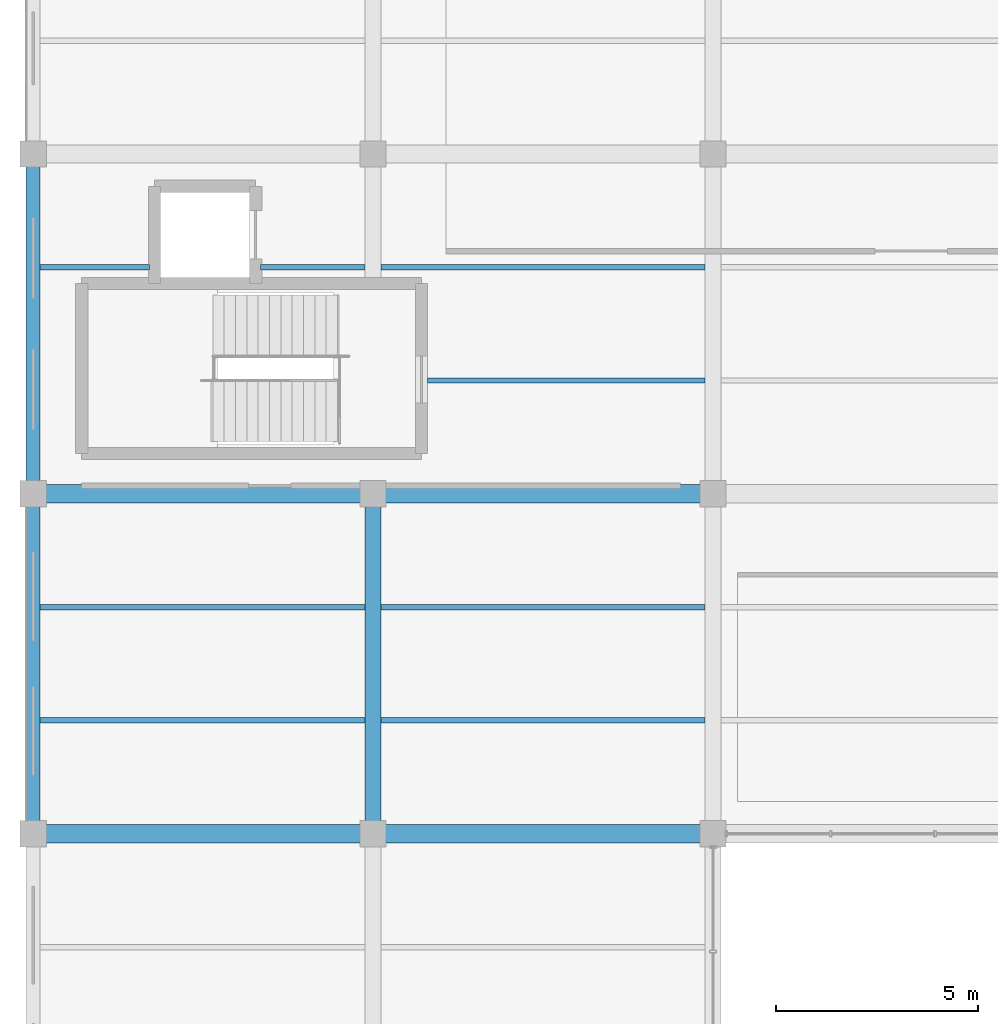
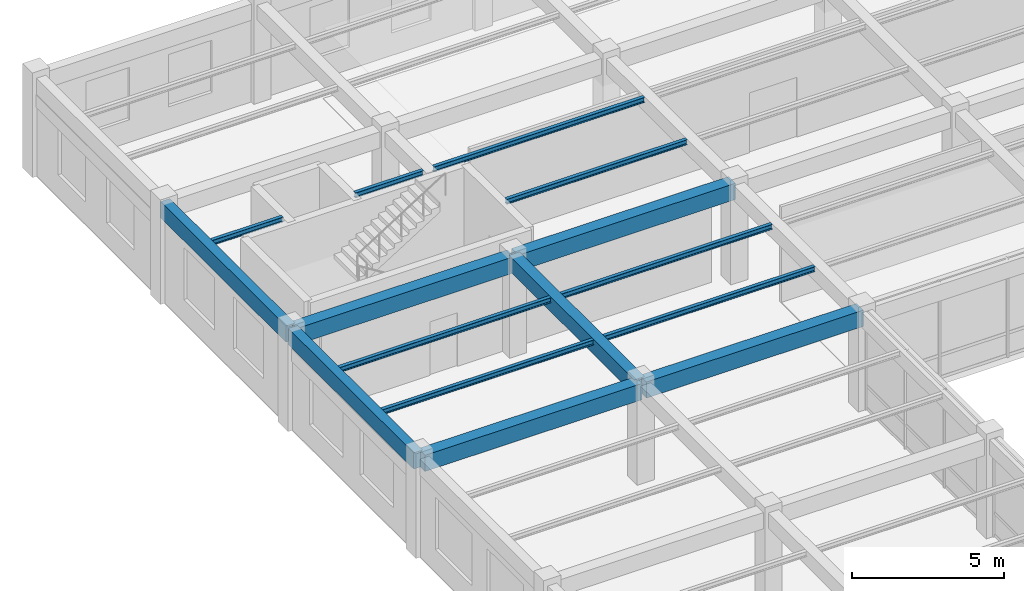
# One storey, part 12 of 138: 15 beams.
"""IFC4 building model written with IfcOpenShell, lengths in metres."""

from ifc_helpers import new_model, si_unit, direction, frame, origin, origin_2d, place, context, subcontext, project, spatial, rectangle, i_section, extrude, material, material_profile, profile_set, type_object, element, save


model = new_model("IFC4")

# Units and contexts
model_context = context("Model", 3, precision=1e-05, world=origin(), true_north=direction((0.0, 1.0)))
body_context = subcontext(model_context, "Body", "Model", "MODEL_VIEW")
ifc_project = project(units=[si_unit("LENGTHUNIT", "METRE"), si_unit("AREAUNIT", "SQUARE_METRE"), si_unit("VOLUMEUNIT", "CUBIC_METRE"), si_unit("PLANEANGLEUNIT", "RADIAN"), si_unit("MASSUNIT", "GRAM", prefix="KILO"), si_unit("THERMODYNAMICTEMPERATUREUNIT", "KELVIN"), si_unit("POWERUNIT", "WATT")], contexts=[model_context])

# Site, building, storey
site_placement = place(None, origin())
site = spatial("IfcSite", under=ifc_project, at=site_placement, CompositionType="ELEMENT")
building_placement = place(site_placement, origin())
building = spatial("IfcBuilding", under=site, at=building_placement, Name="Darbajah Civic Hall", CompositionType="ELEMENT")
storey_placement = place(building_placement, frame((0.0, 0.0, 9.60009765625)))
storey = spatial("IfcBuildingStorey", under=building, at=storey_placement, Name="L02", CompositionType="ELEMENT", Elevation=9.60009765625)

# Beams
ifc_material_1 = material(Name="Concrete C45/55", Category="concrete")
ifc_material_profile_1 = material_profile(ifc_material_1, rectangle(XDim=0.39990234375, YDim=0.60009765625, at=origin_2d()), Name="RC BEAM 400x600")
ifc_profile_set_1 = profile_set([ifc_material_profile_1], Name="Concrete C45/55")
beam_type_1 = type_object("IfcBeamType", Name="RC BEAM 400x600", PredefinedType="BEAM", material=ifc_profile_set_1)
beam_1_placement = place(storey_placement, frame((8.39990234375, 16.8798828125, 3.639892578125), z_axis=(0.0, 1.0, 0.0), x_axis=(-1.0, 0.0, 0.0)))
element("IfcBeam", 1, at=beam_1_placement, inside=storey, type_object=beam_type_1, Name="L02 beam BM-4060", PredefinedType="BEAM", context=body_context, shape_type="SweptSolid", body=[
    extrude(rectangle(XDim=0.39990234375, YDim=0.60009765625, at=origin_2d()), origin(), (0.0, 0.0, 1.0), 8.240234375),
])
ifc_material_profile_2 = material_profile(ifc_material_1, rectangle(XDim=0.449951171875, YDim=0.64990234375, at=origin_2d()), Name="RC BEAM 450x650")
ifc_profile_set_2 = profile_set([ifc_material_profile_2], Name="Concrete C45/55")
beam_type_2 = type_object("IfcBeamType", Name="RC BEAM 450x650", PredefinedType="BEAM", material=ifc_profile_set_2)
for number, where, z_axis, x_axis, name in (
    (2, (0.080078125, 16.800048828125, 3.614990234375), (1.0, 0.0, 0.0), (0.0, 1.0, 0.0), "L02 beam BM-4565"),
    (3, (8.47998046875, 16.800048828125, 3.614990234375), (1.0, 0.0, 0.0), (0.0, 1.0, 0.0), "L02 beam BM-4565"),
    (4, (0.080078125, 25.199951171875, 3.614990234375), (1.0, 0.0, 0.0), (0.0, 1.0, 0.0), "L02 beam BM-4565"),
    (5, (8.47998046875, 25.199951171875, 3.614990234375), (1.0, 0.0, 0.0), (0.0, 1.0, 0.0), "L02 beam BM-4565"),
):
    element("IfcBeam", number, at=place(storey_placement, frame(where, z_axis=z_axis, x_axis=x_axis)), inside=storey, type_object=beam_type_2, Name=name, PredefinedType="BEAM", context=body_context, shape_type="SweptSolid", body=[
        extrude(rectangle(XDim=0.449951171875, YDim=0.64990234375, at=origin_2d()), origin(), (0.0, 0.0, 1.0), 8.239990234375),
    ])
ifc_material_profile_3 = material_profile(ifc_material_1, rectangle(XDim=0.35009765625, YDim=0.64990234375, at=origin_2d()), Name="RC SPANDREL 350x650")
ifc_profile_set_3 = profile_set([ifc_material_profile_3], Name="Concrete C45/55")
beam_type_3 = type_object("IfcBeamType", Name="RC SPANDREL 350x650", PredefinedType="SPANDREL", material=ifc_profile_set_3)
beam_2_placement = place(storey_placement, frame((0.0, 16.8798828125, 3.614990234375), z_axis=(0.0, 1.0, 0.0), x_axis=(-1.0, 0.0, 0.0)))
element("IfcBeam", 6, at=beam_2_placement, inside=storey, type_object=beam_type_3, Name="L02 beam SP-3565", PredefinedType="SPANDREL", context=body_context, shape_type="SweptSolid", body=[
    extrude(rectangle(XDim=0.35009765625, YDim=0.64990234375, at=origin_2d()), origin(), (0.0, 0.0, 1.0), 8.240234375),
])
beam_3_placement = place(storey_placement, frame((0.0, 25.280029296875, 3.614990234375), z_axis=(0.0, 1.0, 0.0), x_axis=(-1.0, 0.0, 0.0)))
element("IfcBeam", 7, at=beam_3_placement, inside=storey, type_object=beam_type_3, Name="L02 beam SP-3565", PredefinedType="SPANDREL", context=body_context, shape_type="SweptSolid", body=[
    extrude(rectangle(XDim=0.35009765625, YDim=0.64990234375, at=origin_2d()), origin(), (0.0, 0.0, 1.0), 8.239990234375),
])
ifc_material_2 = material(Name="Steel S355JR", Category="steel")
ifc_material_profile_4 = material_profile(ifc_material_2, i_section(OverallWidth=0.1337890625, OverallDepth=0.206787109375, WebThickness=0.00634765625, FlangeThickness=0.009521484375, FilletRadius=0.007568359375, at=origin_2d()), Name="UB 203x133x30")
ifc_profile_set_4 = profile_set([ifc_material_profile_4], Name="Steel S355JR")
beam_type_4 = type_object("IfcBeamType", Name="UB 203x133x30", PredefinedType="JOIST", material=ifc_profile_set_4)
for number, where, z_axis, x_axis, name in (
    (8, (0.175048828125, 19.60009765625, 3.83642578125), (1.0, 0.0, 0.0), (0.0, 1.0, 0.0), "L02 beam SJ-203"),
    (9, (0.175048828125, 22.39990234375, 3.83642578125), (1.0, 0.0, 0.0), (0.0, 1.0, 0.0), "L02 beam SJ-203"),
):
    element("IfcBeam", number, at=place(storey_placement, frame(where, z_axis=z_axis, x_axis=x_axis)), inside=storey, type_object=beam_type_4, Name=name, PredefinedType="JOIST", context=body_context, shape_type="SweptSolid", body=[
        extrude(i_section(OverallWidth=0.1337890625, OverallDepth=0.206787109375, WebThickness=0.00634765625, FlangeThickness=0.009521484375, FilletRadius=0.007568359375, at=origin_2d()), origin(), (0.0, 0.0, 1.0), 8.02490234375),
    ])
beam_4_placement = place(storey_placement, frame((0.175048828125, 30.800048828125, 3.83642578125), z_axis=(1.0, 0.0, 0.0), x_axis=(0.0, 1.0, 0.0)))
element("IfcBeam", 10, at=beam_4_placement, inside=storey, type_object=beam_type_4, Name="L02 beam SJ-203", PredefinedType="JOIST", context=body_context, shape_type="SweptSolid", body=[
    extrude(i_section(OverallWidth=0.1337890625, OverallDepth=0.206787109375, WebThickness=0.00634765625, FlangeThickness=0.009521484375, FilletRadius=0.007568359375, at=origin_2d()), origin(), (0.0, 0.0, 1.0), 2.704833984375),
])
beam_5_placement = place(storey_placement, frame((5.6201171875, 30.800048828125, 3.83642578125), z_axis=(1.0, 0.0, 0.0), x_axis=(0.0, 1.0, 0.0)))
element("IfcBeam", 11, at=beam_5_placement, inside=storey, type_object=beam_type_4, Name="L02 beam SJ-203", PredefinedType="JOIST", context=body_context, shape_type="SweptSolid", body=[
    extrude(i_section(OverallWidth=0.1337890625, OverallDepth=0.206787109375, WebThickness=0.00634765625, FlangeThickness=0.009521484375, FilletRadius=0.007568359375, at=origin_2d()), origin(), (0.0, 0.0, 1.0), 2.579833984375),
])
for number, where, z_axis, x_axis, name in (
    (12, (8.60009765625, 19.60009765625, 3.83642578125), (1.0, 0.0, 0.0), (0.0, 1.0, 0.0), "L02 beam SJ-203"),
    (13, (8.60009765625, 22.39990234375, 3.83642578125), (1.0, 0.0, 0.0), (0.0, 1.0, 0.0), "L02 beam SJ-203"),
):
    element("IfcBeam", number, at=place(storey_placement, frame(where, z_axis=z_axis, x_axis=x_axis)), inside=storey, type_object=beam_type_4, Name=name, PredefinedType="JOIST", context=body_context, shape_type="SweptSolid", body=[
        extrude(i_section(OverallWidth=0.1337890625, OverallDepth=0.206787109375, WebThickness=0.00634765625, FlangeThickness=0.009521484375, FilletRadius=0.007568359375, at=origin_2d()), origin(), (0.0, 0.0, 1.0), 8.0),
    ])
beam_6_placement = place(storey_placement, frame((9.739990234375, 28.0, 3.83642578125), z_axis=(1.0, 0.0, 0.0), x_axis=(0.0, 1.0, 0.0)))
element("IfcBeam", 14, at=beam_6_placement, inside=storey, type_object=beam_type_4, Name="L02 beam SJ-203", PredefinedType="JOIST", context=body_context, shape_type="SweptSolid", body=[
    extrude(i_section(OverallWidth=0.1337890625, OverallDepth=0.206787109375, WebThickness=0.00634765625, FlangeThickness=0.009521484375, FilletRadius=0.007568359375, at=origin_2d()), origin(), (0.0, 0.0, 1.0), 6.860107421875),
])
beam_7_placement = place(storey_placement, frame((8.60009765625, 30.800048828125, 3.83642578125), z_axis=(1.0, 0.0, 0.0), x_axis=(0.0, 1.0, 0.0)))
element("IfcBeam", 15, at=beam_7_placement, inside=storey, type_object=beam_type_4, Name="L02 beam SJ-203", PredefinedType="JOIST", context=body_context, shape_type="SweptSolid", body=[
    extrude(i_section(OverallWidth=0.1337890625, OverallDepth=0.206787109375, WebThickness=0.00634765625, FlangeThickness=0.009521484375, FilletRadius=0.007568359375, at=origin_2d()), origin(), (0.0, 0.0, 1.0), 8.0),
])

save(model, "model.ifc")
